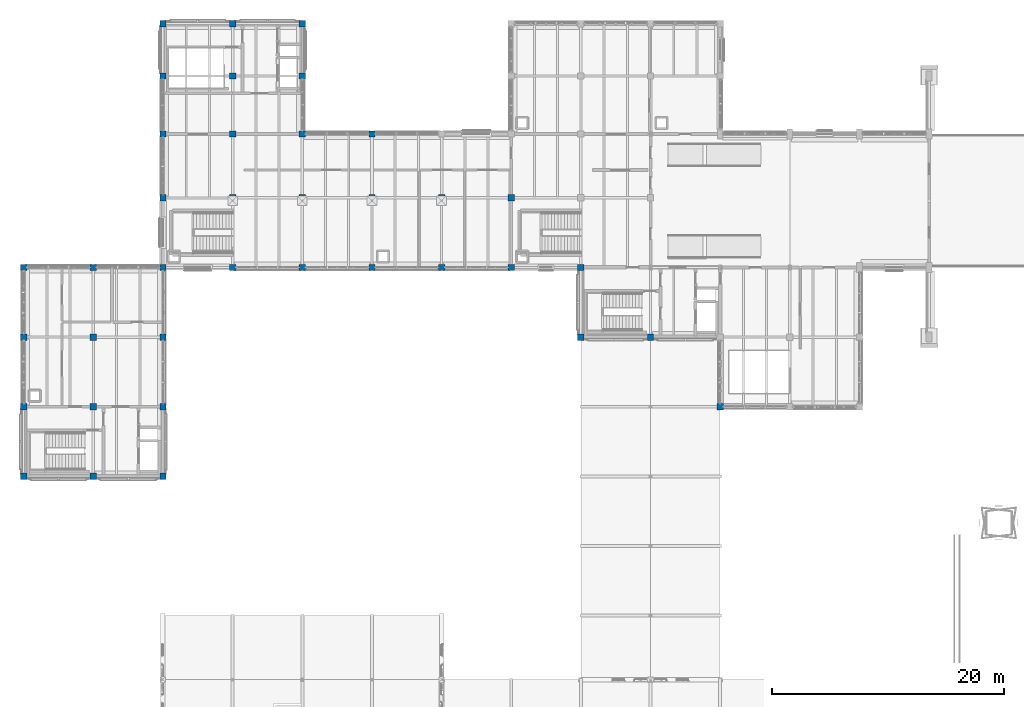
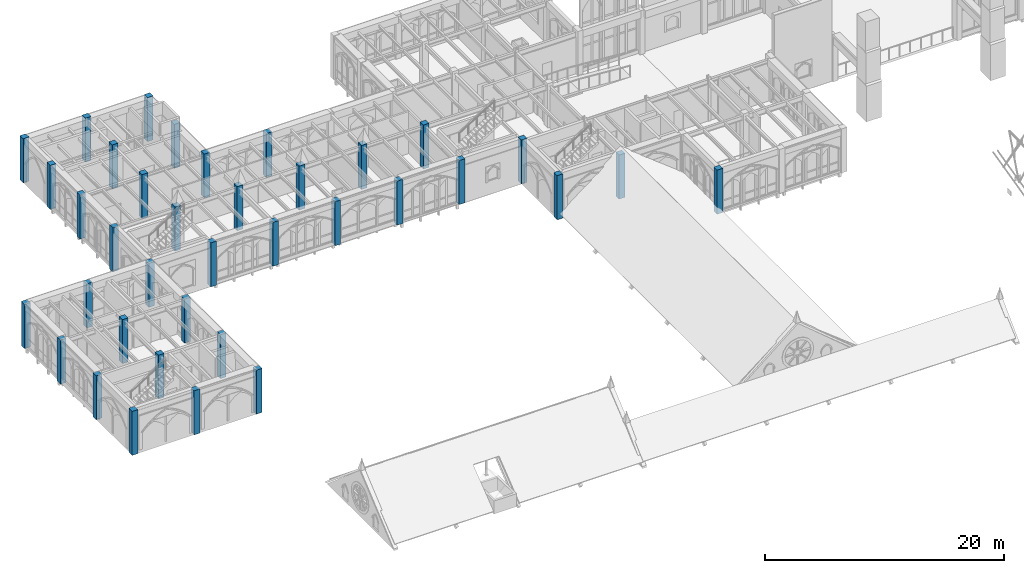
# One storey, part 1 of 108: 37 columns.
"""IFC4 building model written with IfcOpenShell, lengths in metres."""

from ifc_helpers import new_model, si_unit, direction, frame, origin, origin_2d, place, context, subcontext, project, spatial, rectangle, extrude, material, material_profile, profile_set, type_object, element, save


model = new_model("IFC4")

# Units and contexts
model_context = context("Model", 3, precision=1e-05, world=origin(), true_north=direction((0.0, 1.0)))
body_context = subcontext(model_context, "Body", "Model", "MODEL_VIEW")
ifc_project = project(units=[si_unit("LENGTHUNIT", "METRE"), si_unit("AREAUNIT", "SQUARE_METRE"), si_unit("VOLUMEUNIT", "CUBIC_METRE"), si_unit("PLANEANGLEUNIT", "RADIAN"), si_unit("MASSUNIT", "GRAM", prefix="KILO")], contexts=[model_context])

# Site, building, storey
site_placement = place(None, origin())
site = spatial("IfcSite", under=ifc_project, at=site_placement, CompositionType="ELEMENT")
building_placement = place(site_placement, origin())
building = spatial("IfcBuilding", under=site, at=building_placement, Name="Cumevento Cable Car Station", CompositionType="ELEMENT")
storey_placement = place(building_placement, frame((0.0, 0.0, 13.5)))
storey = spatial("IfcBuildingStorey", under=building, at=storey_placement, Name="L04", CompositionType="ELEMENT", Elevation=13.5)

# Columns
ifc_material = material(Name="Concrete C40/50", Category="concrete")
ifc_material_profile = material_profile(ifc_material, rectangle(XDim=0.550048828125, YDim=0.550048828125, at=origin_2d()), Name="RC550x550")
ifc_profile_set = profile_set([ifc_material_profile], Name="Concrete C40/50")
column_type = type_object("IfcColumnType", Name="Column C-RC550 RC550x550", PredefinedType="COLUMN", material=ifc_profile_set)
for number, where, z_axis, x_axis, name in (
    (1, (10.0, 27.0, 0.0), (0.0, 0.0, 1.0), (1.0, 0.0, 0.0), "Column C-RC550 L04 (10.0,27.0)"),
    (2, (10.0, 33.0, 0.0), (0.0, 0.0, 1.0), (1.0, 0.0, 0.0), "Column C-RC550 L04 (10.0,33.0)"),
    (3, (10.0, 39.0, 0.0), (0.0, 0.0, 1.0), (1.0, 0.0, 0.0), "Column C-RC550 L04 (10.0,39.0)"),
    (4, (10.0, 45.0, 0.0), (0.0, 0.0, 1.0), (1.0, 0.0, 0.0), "Column C-RC550 L04 (10.0,45.0)"),
    (5, (16.0, 27.0, 0.0), (0.0, 0.0, 1.0), (1.0, 0.0, 0.0), "Column C-RC550 L04 (16.0,27.0)"),
    (6, (16.0, 33.0, 0.0), (0.0, 0.0, 1.0), (1.0, 0.0, 0.0), "Column C-RC550 L04 (16.0,33.0)"),
    (7, (16.0, 39.0, 0.0), (0.0, 0.0, 1.0), (1.0, 0.0, 0.0), "Column C-RC550 L04 (16.0,39.0)"),
    (8, (16.0, 45.0, 0.0), (0.0, 0.0, 1.0), (1.0, 0.0, 0.0), "Column C-RC550 L04 (16.0,45.0)"),
    (9, (22.0, 27.0, 0.0), (0.0, 0.0, 1.0), (1.0, 0.0, 0.0), "Column C-RC550 L04 (22.0,27.0)"),
    (10, (22.0, 33.0, 0.0), (0.0, 0.0, 1.0), (1.0, 0.0, 0.0), "Column C-RC550 L04 (22.0,33.0)"),
    (11, (22.0, 39.0, 0.0), (0.0, 0.0, 1.0), (1.0, 0.0, 0.0), "Column C-RC550 L04 (22.0,39.0)"),
    (12, (22.0, 45.0, 0.0), (0.0, 0.0, 1.0), (1.0, 0.0, 0.0), "Column C-RC550 L04 (22.0,45.0)"),
    (13, (22.0, 51.0, 0.0), (0.0, 0.0, 1.0), (1.0, 0.0, 0.0), "Column C-RC550 L04 (22.0,51.0)"),
    (14, (22.0, 56.5, 0.0), (0.0, 0.0, 1.0), (1.0, 0.0, 0.0), "Column C-RC550 L04 (22.0,56.5)"),
    (15, (22.0, 61.5, 0.0), (0.0, 0.0, 1.0), (1.0, 0.0, 0.0), "Column C-RC550 L04 (22.0,61.5)"),
    (16, (22.0, 66.0, 0.0), (0.0, 0.0, 1.0), (1.0, 0.0, 0.0), "Column C-RC550 L04 (22.0,66.0)"),
    (17, (28.0, 45.0, 0.0), (0.0, 0.0, 1.0), (1.0, 0.0, 0.0), "Column C-RC550 L04 (28.0,45.0)"),
    (18, (28.0, 51.0, 0.0), (0.0, 0.0, 1.0), (1.0, 0.0, 0.0), "Column C-RC550 L04 (28.0,51.0)"),
    (19, (28.0, 56.5, 0.0), (0.0, 0.0, 1.0), (1.0, 0.0, 0.0), "Column C-RC550 L04 (28.0,56.5)"),
    (20, (28.0, 61.5, 0.0), (0.0, 0.0, 1.0), (1.0, 0.0, 0.0), "Column C-RC550 L04 (28.0,61.5)"),
    (21, (28.0, 66.0, 0.0), (0.0, 0.0, 1.0), (1.0, 0.0, 0.0), "Column C-RC550 L04 (28.0,66.0)"),
    (22, (34.0, 45.0, 0.0), (0.0, 0.0, 1.0), (1.0, 0.0, 0.0), "Column C-RC550 L04 (34.0,45.0)"),
    (23, (34.0, 51.0, 0.0), (0.0, 0.0, 1.0), (1.0, 0.0, 0.0), "Column C-RC550 L04 (34.0,51.0)"),
    (24, (34.0, 56.5, 0.0), (0.0, 0.0, 1.0), (1.0, 0.0, 0.0), "Column C-RC550 L04 (34.0,56.5)"),
    (25, (34.0, 61.5, 0.0), (0.0, 0.0, 1.0), (1.0, 0.0, 0.0), "Column C-RC550 L04 (34.0,61.5)"),
    (26, (34.0, 66.0, 0.0), (0.0, 0.0, 1.0), (1.0, 0.0, 0.0), "Column C-RC550 L04 (34.0,66.0)"),
    (27, (40.0, 45.0, 0.0), (0.0, 0.0, 1.0), (1.0, 0.0, 0.0), "Column C-RC550 L04 (40.0,45.0)"),
    (28, (40.0, 51.0, 0.0), (0.0, 0.0, 1.0), (1.0, 0.0, 0.0), "Column C-RC550 L04 (40.0,51.0)"),
    (29, (40.0, 56.5, 0.0), (0.0, 0.0, 1.0), (1.0, 0.0, 0.0), "Column C-RC550 L04 (40.0,56.5)"),
    (30, (46.0, 45.0, 0.0), (0.0, 0.0, 1.0), (1.0, 0.0, 0.0), "Column C-RC550 L04 (46.0,45.0)"),
    (31, (46.0, 51.0, 0.0), (0.0, 0.0, 1.0), (1.0, 0.0, 0.0), "Column C-RC550 L04 (46.0,51.0)"),
    (32, (52.0, 45.0, 0.0), (0.0, 0.0, 1.0), (1.0, 0.0, 0.0), "Column C-RC550 L04 (52.0,45.0)"),
    (33, (52.0, 51.0, 0.0), (0.0, 0.0, 1.0), (1.0, 0.0, 0.0), "Column C-RC550 L04 (52.0,51.0)"),
    (34, (58.0, 39.0, 0.0), (0.0, 0.0, 1.0), (1.0, 0.0, 0.0), "Column C-RC550 L04 (58.0,39.0)"),
    (35, (58.0, 45.0, 0.0), (0.0, 0.0, 1.0), (1.0, 0.0, 0.0), "Column C-RC550 L04 (58.0,45.0)"),
    (36, (64.0, 39.0, 0.0), (0.0, 0.0, 1.0), (1.0, 0.0, 0.0), "Column C-RC550 L04 (64.0,39.0)"),
    (37, (70.0, 33.0, 0.0), (0.0, 0.0, 1.0), (1.0, 0.0, 0.0), "Column C-RC550 L04 (70.0,33.0)"),
):
    element("IfcColumn", number, at=place(storey_placement, frame(where, z_axis=z_axis, x_axis=x_axis)), inside=storey, type_object=column_type, Name=name, PredefinedType="COLUMN", context=body_context, shape_type="SweptSolid", body=[
        extrude(rectangle(XDim=0.550048828125, YDim=0.550048828125, at=origin_2d()), origin(), (0.0, 0.0, 1.0), 4.5),
    ])

save(model, "model.ifc")
